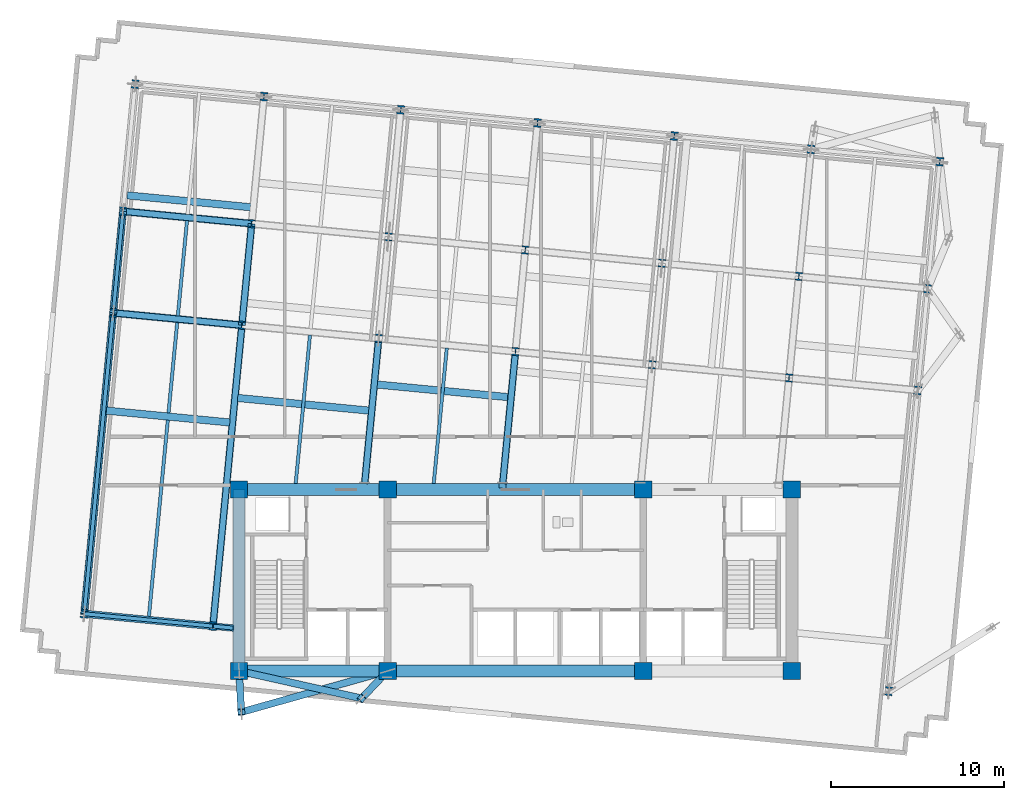
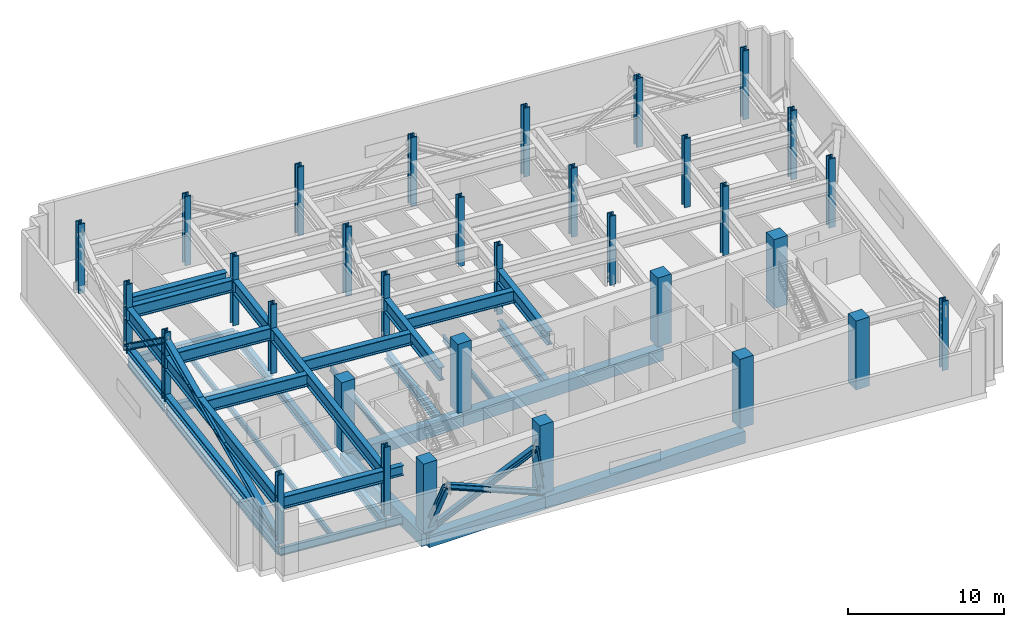
# One storey, part 1 of 10: 33 beams, 32 columns, 8 members.
"""IFC4 building model written with IfcOpenShell, lengths in metres."""

import ifcopenshell
import ifcopenshell.guid

model = None  # the IFC model being written
_history = None  # IfcOwnerHistory: only IFC2X3 demands one
_inside = {}  # id of a spatial element -> (the spatial element, [elements in it])
_under = {}  # id of a project, library or spatial element -> (it, [spatial elements below it])
_declared = {}  # id of a project -> (the project, [libraries it declares])
_typed = {}  # id of a type object -> (the type object, [elements of that type])
_made_of = {}  # id of a material, layer set ... -> (it, [elements and type objects made of it])


def new_model(schema):
    """Start an empty IFC model of exactly this schema.

    Asked for "IFC4X3", IfcOpenShell would pick the latest addendum, in which some entities
    have other attributes; the version numbers below select the first issue.
    IFC2X3 requires an IfcOwnerHistory on every rooted entity: one is made here for all.
    """
    global model, _history
    if schema == "IFC4X3":
        model = ifcopenshell.file(schema_version=(4, 3, 0, 0))
    else:
        model = ifcopenshell.file(schema=schema)
    _inside.clear()
    _under.clear()
    _declared.clear()
    _typed.clear()
    _made_of.clear()
    _history = None
    if model.schema == "IFC2X3":
        org = make("IfcOrganization", Name="unknown")
        user = make(
            "IfcPersonAndOrganization",
            ThePerson=make("IfcPerson", FamilyName="unknown"),
            TheOrganization=org,
        )
        app = make(
            "IfcApplication",
            ApplicationDeveloper=org,
            Version="unknown",
            ApplicationFullName="unknown",
            ApplicationIdentifier="unknown",
        )
        _history = make(
            "IfcOwnerHistory",
            OwningUser=user,
            OwningApplication=app,
            ChangeAction="ADDED",
            CreationDate=0,
        )
    return model


def make(cls, **values):
    """One entity of the class cls with the attributes given. An attribute that is None is left unset."""
    return model.create_entity(
        cls, **{name: value for name, value in values.items() if value is not None}
    )


def rooted(cls, **values):
    """An entity with a GlobalId (a new one), such as an element, a storey or a relation."""
    return make(cls, GlobalId=ifcopenshell.guid.new(), OwnerHistory=_history, **values)


def si_unit(unit_type, name, prefix=None):
    """IfcSIUnit, for example si_unit("LENGTHUNIT", "METRE", prefix="MILLI")."""
    return make("IfcSIUnit", UnitType=unit_type, Prefix=prefix, Name=name)


def assignment(units):
    """IfcUnitAssignment: the units of a project."""
    return None if units is None else make("IfcUnitAssignment", Units=units)


def point(xyz):
    """IfcCartesianPoint."""
    return None if xyz is None else make("IfcCartesianPoint", Coordinates=xyz)


def direction(xyz):
    """IfcDirection."""
    return None if xyz is None else make("IfcDirection", DirectionRatios=xyz)


def frame(location, z_axis=None, x_axis=None):
    """IfcAxis2Placement3D, a coordinate frame: its origin and axes. An axis left out is left unset."""
    return make(
        "IfcAxis2Placement3D",
        Location=point(location),
        Axis=direction(z_axis),
        RefDirection=direction(x_axis),
    )


def frame_2d(location, x_axis=None):
    """IfcAxis2Placement2D, a coordinate frame in the plane: its origin and x axis."""
    return make(
        "IfcAxis2Placement2D", Location=point(location), RefDirection=direction(x_axis)
    )


def origin():
    """The frame at (0, 0, 0) with its axes left unset."""
    return frame((0.0, 0.0, 0.0))


def origin_2d():
    """The frame at (0, 0) in the plane with its x axis left unset."""
    return frame_2d((0.0, 0.0))


def place(relative_to, where):
    """IfcLocalPlacement: puts the frame where relative to a parent placement (None: the world)."""
    return make(
        "IfcLocalPlacement", PlacementRelTo=relative_to, RelativePlacement=where
    )


def context(
    kind, dimensions, precision=None, world=None, true_north=None, identifier=None
):
    """IfcGeometricRepresentationContext, for example the 3D "Model" context."""
    return make(
        "IfcGeometricRepresentationContext",
        ContextIdentifier=identifier,
        ContextType=kind,
        CoordinateSpaceDimension=dimensions,
        Precision=precision,
        WorldCoordinateSystem=world,
        TrueNorth=true_north,
    )


def subcontext(parent, identifier, kind, view, scale=None):
    """IfcGeometricRepresentationSubContext, for example "Body" below "Model"."""
    return make(
        "IfcGeometricRepresentationSubContext",
        ContextIdentifier=identifier,
        ContextType=kind,
        ParentContext=parent,
        TargetScale=scale,
        TargetView=view,
    )


def project(units=None, contexts=None):
    """IfcProject with its units and contexts."""
    return rooted(
        "IfcProject",
        Name="project",
        RepresentationContexts=contexts,
        UnitsInContext=assignment(units),
    )


def spatial(cls, under=None, at=None, **own):
    """A site, building, storey or space (cls), placed at a placement, below another one or the project."""
    s = rooted(cls, ObjectPlacement=at, **own)
    if under is not None:
        _under.setdefault(under.id(), (under, []))[1].append(s)
    return s


def profile(cls, at=None, kind="AREA", **sizes):
    """A parametric profile (cls). Its sizes go by their IFC names, for example OverallWidth=200.0."""
    return make(cls, ProfileType=kind, Position=at, **sizes)


def rectangle(**sizes):
    """IfcRectangleProfileDef."""
    return profile("IfcRectangleProfileDef", **sizes)


def i_section(**sizes):
    """IfcIShapeProfileDef."""
    return profile("IfcIShapeProfileDef", **sizes)


def extrude(swept, where, along, depth):
    """IfcExtrudedAreaSolid: the profile swept, set in the frame where, extruded along a direction by depth."""
    return make(
        "IfcExtrudedAreaSolid",
        SweptArea=swept,
        Position=where,
        ExtrudedDirection=direction(along),
        Depth=depth,
    )


def shape(context_of_items, identifier, shape_type, items):
    """IfcShapeRepresentation: the items that make up one representation, for example the "Body"."""
    return make(
        "IfcShapeRepresentation",
        ContextOfItems=context_of_items,
        RepresentationIdentifier=identifier,
        RepresentationType=shape_type,
        Items=items,
    )


def material(Name=None, Category=None):
    """IfcMaterial."""
    return make("IfcMaterial", Name=Name, Category=Category)


def material_profile(
    of_material, cross_section, Name=None, Category=None, Priority=None
):
    """IfcMaterialProfile: a cross section and its material."""
    return make(
        "IfcMaterialProfile",
        Name=Name,
        Material=of_material,
        Profile=cross_section,
        Priority=Priority,
        Category=Category,
    )


def profile_set(profiles, Name=None, composite=None):
    """IfcMaterialProfileSet."""
    return make(
        "IfcMaterialProfileSet",
        Name=Name,
        MaterialProfiles=profiles,
        CompositeProfile=composite,
    )


def made_of(thing, what):
    """Note that an element or type object is made of a material, layer set ...; save() writes the relation."""
    if what is not None:
        _made_of.setdefault(what.id(), (what, []))[1].append(thing)
    return thing


def type_object(cls, material=None, **own):
    """A type object (cls), such as IfcWallType, which elements share."""
    return made_of(rooted(cls, **own), material)


def element(
    cls,
    number,
    at=None,
    inside=None,
    cuts=None,
    type_object=None,
    material=None,
    context=None,
    identifier="Body",
    shape_type=None,
    held_by="IfcProductDefinitionShape",
    body=None,
    shapes=None,
    **own,
):
    """One element of the class cls, such as IfcWall. Its Tag is "e" and its number.

    at: its placement. inside: the storey or other place that contains it. cuts: it is an
    opening in that element (IfcRelVoidsElement). A single representation is given by context,
    identifier, shape_type and body (its items); several are given by shapes. held_by: the class
    of the entity that holds the representations. save() writes the other relations.
    """
    e = rooted(cls, Tag="e%d" % number, ObjectPlacement=at, **own)
    if body is not None:
        shapes = [shape(context, identifier, shape_type, body)]
    if shapes is not None:
        e.Representation = make(held_by, Representations=shapes)
    if inside is not None:
        _inside.setdefault(inside.id(), (inside, []))[1].append(e)
    if cuts is not None:
        rooted(
            "IfcRelVoidsElement", RelatingBuildingElement=cuts, RelatedOpeningElement=e
        )
    if type_object is not None:
        _typed.setdefault(type_object.id(), (type_object, []))[1].append(e)
    return made_of(e, material)


def aggregate(whole, parts):
    """IfcRelAggregates: a whole, such as a stair, and the parts it consists of."""
    return rooted("IfcRelAggregates", RelatingObject=whole, RelatedObjects=parts)


def save(model, path):
    """Write the relations noted so far, then the file.

    IfcRelAggregates (storeys below a building ...), IfcRelContainedInSpatialStructure (elements
    in a storey), IfcRelDefinesByType, IfcRelAssociatesMaterial and IfcRelDeclares: one each for
    every whole, place, type object, material and project.
    """
    for whole, parts in _under.values():
        aggregate(whole, parts)
    for where, things in _inside.values():
        rooted(
            "IfcRelContainedInSpatialStructure",
            RelatedElements=things,
            RelatingStructure=where,
        )
    for kind, things in _typed.values():
        rooted("IfcRelDefinesByType", RelatedObjects=things, RelatingType=kind)
    for what, things in _made_of.values():
        rooted("IfcRelAssociatesMaterial", RelatedObjects=things, RelatingMaterial=what)
    for by, libraries in _declared.values():
        rooted("IfcRelDeclares", RelatingContext=by, RelatedDefinitions=libraries)
    model.write(path)


model = new_model("IFC4")

# Units and contexts
model_context = context("Model", 3, precision=1e-05, world=origin(), true_north=direction((0.0, 1.0)))
body_context = subcontext(model_context, "Body", "Model", "MODEL_VIEW")
ifc_project = project(units=[si_unit("LENGTHUNIT", "METRE"), si_unit("AREAUNIT", "SQUARE_METRE"), si_unit("VOLUMEUNIT", "CUBIC_METRE"), si_unit("PLANEANGLEUNIT", "RADIAN"), si_unit("MASSUNIT", "GRAM", prefix="KILO")], contexts=[model_context])

# Site, building, storey
site_placement = place(None, origin())
site = spatial("IfcSite", under=ifc_project, at=site_placement, CompositionType="ELEMENT")
building_placement = place(site_placement, origin())
building = spatial("IfcBuilding", under=site, at=building_placement, Name="Solmavex Isthmus Hotel", CompositionType="ELEMENT")
storey_placement = place(building_placement, frame((0.0, 0.0, 186.300048828125)))
storey = spatial("IfcBuildingStorey", under=building, at=storey_placement, Name="L50", CompositionType="ELEMENT", Elevation=186.300048828125)

# Columns
ifc_material_1 = material(Name="Concrete C60/75", Category="concrete")
ifc_material_profile_1 = material_profile(ifc_material_1, rectangle(XDim=1.0, YDim=1.0, at=origin_2d()), Name="RC1000X1000")
ifc_profile_set_1 = profile_set([ifc_material_profile_1], Name="Concrete C60/75")
column_type_1 = type_object("IfcColumnType", Name="COL-CC-1000", PredefinedType="COLUMN", material=ifc_profile_set_1)
for number, where, z_axis, x_axis, name in (
    (1, (-16.0, -13.0, 0.0), (0.0, 0.0, 1.0), (1.0, 0.0, 0.0), "Core Pilaster CC-SW L50"),
    (2, (-7.39990234375, -13.0, 0.0), (0.0, 0.0, 1.0), (1.0, 0.0, 0.0), "Core Pilaster CC-S1 L50"),
    (3, (7.39990234375, -13.0, 0.0), (0.0, 0.0, 1.0), (1.0, 0.0, 0.0), "Core Pilaster CC-S2 L50"),
    (4, (16.0, -13.0, 0.0), (0.0, 0.0, 1.0), (1.0, 0.0, 0.0), "Core Pilaster CC-SE L50"),
    (5, (-16.0, -2.5, 0.0), (0.0, 0.0, 1.0), (1.0, 0.0, 0.0), "Core Pilaster CC-NW L50"),
    (6, (-7.39990234375, -2.5, 0.0), (0.0, 0.0, 1.0), (1.0, 0.0, 0.0), "Core Pilaster CC-N1 L50"),
    (7, (7.39990234375, -2.5, 0.0), (0.0, 0.0, 1.0), (1.0, 0.0, 0.0), "Core Pilaster CC-N2 L50"),
    (8, (16.0, -2.5, 0.0), (0.0, 0.0, 1.0), (1.0, 0.0, 0.0), "Core Pilaster CC-NE L50"),
):
    element("IfcColumn", number, at=place(storey_placement, frame(where, z_axis=z_axis, x_axis=x_axis)), inside=storey, type_object=column_type_1, Name=name, PredefinedType="COLUMN", context=body_context, shape_type="SweptSolid", body=[
        extrude(rectangle(XDim=1.0, YDim=1.0, at=origin_2d()), origin(), (0.0, 0.0, 1.0), 5.39990234375),
    ])
ifc_material_2 = material(Name="Steel ASTM A913 Grade 65", Category="steel")
ifc_material_profile_2 = material_profile(ifc_material_2, i_section(OverallWidth=0.424072265625, OverallDepth=0.47412109375, WebThickness=0.047607421875, FlangeThickness=0.0771484375, FilletRadius=0.030517578125, at=origin_2d()), Name="W14X426")
ifc_profile_set_2 = profile_set([ifc_material_profile_2], Name="Steel ASTM A913 Grade 65")
column_type_2 = type_object("IfcColumnType", Name="COL-SC-W14X426", PredefinedType="COLUMN", material=ifc_profile_set_2)
for number, where, z_axis, x_axis, name in (
    (9, (-15.83740234375, 7.015380859375, 0.0), (0.0, 0.0, 1.0), (0.995396198367, -0.09584575252, 0.0), "Tower Column B3-U2V2 L50"),
    (10, (-15.271240234375, 12.896240234375, 0.0), (0.0, 0.0, 1.0), (0.995396198367, -0.09584575252, 0.0), "Tower Column B3-U2V3 L50"),
    (11, (-7.918212890625, 6.2529296875, 0.0), (0.0, 0.0, 1.0), (0.995396198367, -0.09584575252, 0.0), "Tower Column B3-U3V2 L50"),
    (12, (-7.351806640625, 12.1337890625, 0.0), (0.0, 0.0, 1.0), (0.995396198367, -0.09584575252, 0.0), "Tower Column B3-U3V3 L50"),
    (13, (0.001220703125, 5.490234375, 0.0), (0.0, 0.0, 1.0), (0.995396198367, -0.09584575252, 0.0), "Tower Column B3-U4V2 L50"),
    (14, (0.567626953125, 11.37109375, 0.0), (0.0, 0.0, 1.0), (0.995396198367, -0.09584575252, 0.0), "Tower Column B3-U4V3 L50"),
    (15, (7.920654296875, 4.727783203125, 0.0), (0.0, 0.0, 1.0), (0.995396198367, -0.09584575252, 0.0), "Tower Column B3-U5V2 L50"),
    (16, (8.48681640625, 10.608642578125, 0.0), (0.0, 0.0, 1.0), (0.995396198367, -0.09584575252, 0.0), "Tower Column B3-U5V3 L50"),
    (17, (15.840087890625, 3.96533203125, 0.0), (0.0, 0.0, 1.0), (0.995396198367, -0.09584575252, 0.0), "Tower Column B3-U6V2 L50"),
    (18, (16.40625, 9.845947265625, 0.0), (0.0, 0.0, 1.0), (0.995396198367, -0.09584575252, 0.0), "Tower Column B3-U6V3 L50"),
):
    element("IfcColumn", number, at=place(storey_placement, frame(where, z_axis=z_axis, x_axis=x_axis)), inside=storey, type_object=column_type_2, Name=name, PredefinedType="COLUMN", context=body_context, shape_type="SweptSolid", body=[
        extrude(i_section(OverallWidth=0.424072265625, OverallDepth=0.47412109375, WebThickness=0.047607421875, FlangeThickness=0.0771484375, FilletRadius=0.030517578125, at=origin_2d()), origin(), (0.0, 0.0, 1.0), 5.39990234375),
    ])
ifc_material_profile_3 = material_profile(ifc_material_2, i_section(OverallWidth=0.43212890625, OverallDepth=0.497802734375, WebThickness=0.0556640625, FlangeThickness=0.0888671875, FilletRadius=0.030517578125, at=origin_2d()), Name="W14X500")
ifc_profile_set_3 = profile_set([ifc_material_profile_3], Name="Steel ASTM A913 Grade 65")
column_type_3 = type_object("IfcColumnType", Name="COL-SC-W14X500", PredefinedType="COLUMN", material=ifc_profile_set_3)
for number, where, z_axis, x_axis, name in (
    (19, (-24.96826171875, -9.686279296875, 0.0), (0.0, 0.0, 1.0), (0.995396198367, -0.09584575252, 0.0), "Tower Column B3-U1V1 L50"),
    (20, (-23.291015625, 7.733154296875, 0.0), (0.0, 0.0, 1.0), (0.995396198367, -0.09584575252, 0.0), "Tower Column B3-U1V2 L50"),
    (21, (-22.724853515625, 13.614013671875, 0.0), (0.0, 0.0, 1.0), (0.995396198367, -0.09584575252, 0.0), "Tower Column B3-U1V3 L50"),
    (22, (-22.016357421875, 20.971923828125, 0.0), (0.0, 0.0, 1.0), (0.995396198367, -0.09584575252, 0.0), "Tower Column B3-U1V4 L50"),
    (23, (-17.5146484375, -10.404052734375, 0.0), (0.0, 0.0, 1.0), (0.995396198367, -0.09584575252, 0.0), "Tower Column B3-U2V1 L50"),
    (24, (-14.562744140625, 20.254150390625, 0.0), (0.0, 0.0, 1.0), (0.995396198367, -0.09584575252, 0.0), "Tower Column B3-U2V4 L50"),
    (25, (-6.643310546875, 19.49169921875, 0.0), (0.0, 0.0, 1.0), (0.995396198367, -0.09584575252, 0.0), "Tower Column B3-U3V4 L50"),
    (26, (1.276123046875, 18.72900390625, 0.0), (0.0, 0.0, 1.0), (0.995396198367, -0.09584575252, 0.0), "Tower Column B3-U4V4 L50"),
    (27, (9.1953125, 17.966552734375, 0.0), (0.0, 0.0, 1.0), (0.995396198367, -0.09584575252, 0.0), "Tower Column B3-U5V4 L50"),
    (28, (17.11474609375, 17.2041015625, 0.0), (0.0, 0.0, 1.0), (0.995396198367, -0.09584575252, 0.0), "Tower Column B3-U6V4 L50"),
    (29, (21.6162109375, -14.171875, 0.0), (0.0, 0.0, 1.0), (0.995396198367, -0.09584575252, 0.0), "Tower Column B3-U7V1 L50"),
    (30, (23.29345703125, 3.24755859375, 0.0), (0.0, 0.0, 1.0), (0.995396198367, -0.09584575252, 0.0), "Tower Column B3-U7V2 L50"),
    (31, (23.85986328125, 9.12841796875, 0.0), (0.0, 0.0, 1.0), (0.995396198367, -0.09584575252, 0.0), "Tower Column B3-U7V3 L50"),
    (32, (24.568359375, 16.486328125, 0.0), (0.0, 0.0, 1.0), (0.995396198367, -0.09584575252, 0.0), "Tower Column B3-U7V4 L50"),
):
    element("IfcColumn", number, at=place(storey_placement, frame(where, z_axis=z_axis, x_axis=x_axis)), inside=storey, type_object=column_type_3, Name=name, PredefinedType="COLUMN", context=body_context, shape_type="SweptSolid", body=[
        extrude(i_section(OverallWidth=0.43212890625, OverallDepth=0.497802734375, WebThickness=0.0556640625, FlangeThickness=0.0888671875, FilletRadius=0.030517578125, at=origin_2d()), origin(), (0.0, 0.0, 1.0), 5.39990234375),
    ])

# Beams
ifc_material_3 = material(Name="Steel ASTM A992 Grade 50", Category="steel")
ifc_material_profile_4 = material_profile(ifc_material_3, i_section(OverallWidth=0.354736328125, OverallDepth=0.695556640625, WebThickness=0.015380859375, FlangeThickness=0.02490234375, FilletRadius=0.017822265625, at=origin_2d()), Name="W27X146")
ifc_profile_set_4 = profile_set([ifc_material_profile_4], Name="Steel ASTM A992 Grade 50")
beam_type_1 = type_object("IfcBeamType", Name="BM-BG-W27X146", PredefinedType="BEAM", material=ifc_profile_set_4)
for number, where, z_axis, x_axis, name in (
    (33, (-23.291015625, 7.733154296875, -0.7978515625), (0.995395279593, -0.095855293875, 0.0), (0.095855293875, 0.995395279593, 0.0), "Floor Girder L50-UG03"),
    (34, (-22.724853515625, 13.614013671875, -0.7978515625), (0.995395279593, -0.095855293875, 0.0), (0.095855293875, 0.995395279593, 0.0), "Floor Girder L50-UG09"),
):
    element("IfcBeam", number, at=place(storey_placement, frame(where, z_axis=z_axis, x_axis=x_axis)), inside=storey, type_object=beam_type_1, Name=name, PredefinedType="BEAM", context=body_context, shape_type="SweptSolid", body=[
        extrude(i_section(OverallWidth=0.354736328125, OverallDepth=0.695556640625, WebThickness=0.015380859375, FlangeThickness=0.02490234375, FilletRadius=0.017822265625, at=origin_2d()), origin(), (0.0, 0.0, 1.0), 7.488037109375),
    ])
beam_1_placement = place(storey_placement, frame((-17.503662109375, -10.289306640625, -0.7978515625), z_axis=(0.095840821687, 0.99539667314, 0.0), x_axis=(-0.99539667314, 0.095840821687, 0.0)))
element("IfcBeam", 35, at=beam_1_placement, inside=storey, type_object=beam_type_1, Name="Floor Beam L50-VG24", PredefinedType="BEAM", context=body_context, shape_type="SweptSolid", body=[
    extrude(i_section(OverallWidth=0.354736328125, OverallDepth=0.695556640625, WebThickness=0.015380859375, FlangeThickness=0.02490234375, FilletRadius=0.017822265625, at=origin_2d()), origin(), (0.0, 0.0, 1.0), 17.207275390625),
])
beam_2_placement = place(storey_placement, frame((-15.820556640625, 7.19189453125, -0.7978515625), z_axis=(0.095838058801, 0.995396939158, 0.0), x_axis=(-0.995396939158, 0.095838058801, 0.0)))
element("IfcBeam", 36, at=beam_2_placement, inside=storey, type_object=beam_type_1, Name="Floor Beam L50-VG25", PredefinedType="BEAM", context=body_context, shape_type="SweptSolid", body=[
    extrude(i_section(OverallWidth=0.354736328125, OverallDepth=0.695556640625, WebThickness=0.015380859375, FlangeThickness=0.02490234375, FilletRadius=0.017822265625, at=origin_2d()), origin(), (0.0, 0.0, 1.0), 5.553466796875),
])
beam_3_placement = place(storey_placement, frame((-8.727294921875, -2.14990234375, -0.7978515625), z_axis=(0.095861573524, 0.995394674851, 0.0), x_axis=(-0.995394674851, 0.095861573524, 0.0)))
element("IfcBeam", 37, at=beam_3_placement, inside=storey, type_object=beam_type_1, Name="Floor Beam L50-VG27", PredefinedType="BEAM", context=body_context, shape_type="SweptSolid", body=[
    extrude(i_section(OverallWidth=0.354736328125, OverallDepth=0.695556640625, WebThickness=0.015380859375, FlangeThickness=0.02490234375, FilletRadius=0.017822265625, at=origin_2d()), origin(), (0.0, 0.0, 1.0), 8.264404296875),
])
beam_4_placement = place(storey_placement, frame((-0.734375, -2.14990234375, -0.7978515625), z_axis=(0.095856963455, 0.995395118813, 0.0), x_axis=(-0.995395118813, 0.095856963455, 0.0)))
element("IfcBeam", 38, at=beam_4_placement, inside=storey, type_object=beam_type_1, Name="Floor Beam L50-VG30", PredefinedType="BEAM", context=body_context, shape_type="SweptSolid", body=[
    extrude(i_section(OverallWidth=0.354736328125, OverallDepth=0.695556640625, WebThickness=0.015380859375, FlangeThickness=0.02490234375, FilletRadius=0.017822265625, at=origin_2d()), origin(), (0.0, 0.0, 1.0), 7.498046875),
])
ifc_material_profile_5 = material_profile(ifc_material_3, i_section(OverallWidth=0.380615234375, OverallDepth=0.773193359375, WebThickness=0.0166015625, FlangeThickness=0.027099609375, FilletRadius=0.01904296875, at=origin_2d()), Name="W30X173")
ifc_profile_set_5 = profile_set([ifc_material_profile_5], Name="Steel ASTM A992 Grade 50")
beam_type_2 = type_object("IfcBeamType", Name="BM-BG-W30X173", PredefinedType="BEAM", material=ifc_profile_set_5)
beam_5_placement = place(storey_placement, frame((-17.360595703125, -10.4189453125, 3.183349609375), z_axis=(0.995402309341, -0.095782266414, 0.0), x_axis=(0.095782266414, 0.995402309341, 0.0)))
element("IfcBeam", 39, at=beam_5_placement, inside=storey, type_object=beam_type_2, Name="Floor Framing Cross Girder L50-XLC23", PredefinedType="BEAM", context=body_context, shape_type="SweptSolid", body=[
    extrude(i_section(OverallWidth=0.380615234375, OverallDepth=0.773193359375, WebThickness=0.0166015625, FlangeThickness=0.027099609375, FilletRadius=0.01904296875, at=origin_2d()), origin(), (0.0, 0.0, 1.0), 1.0654296875),
])
ifc_material_profile_6 = material_profile(ifc_material_3, i_section(OverallWidth=0.1904296875, OverallDepth=0.456787109375, WebThickness=0.009033203125, FlangeThickness=0.014404296875, FilletRadius=0.0126953125, at=origin_2d()), Name="W18X50")
ifc_profile_set_6 = profile_set([ifc_material_profile_6], Name="Steel ASTM A992 Grade 50")
beam_type_3 = type_object("IfcBeamType", Name="BM-BJ-W18X50", PredefinedType="JOIST", material=ifc_profile_set_6)
beam_6_placement = place(storey_placement, frame((-21.23046875, -9.930419921875, -0.678466796875), z_axis=(0.095840821687, 0.99539667314, 0.0), x_axis=(-0.99539667314, 0.095840821687, 0.0)))
element("IfcBeam", 40, at=beam_6_placement, inside=storey, type_object=beam_type_3, Name="Secondary Floor Joist L50-J01", PredefinedType="JOIST", context=body_context, shape_type="SweptSolid", body=[
    extrude(i_section(OverallWidth=0.1904296875, OverallDepth=0.456787109375, WebThickness=0.009033203125, FlangeThickness=0.014404296875, FilletRadius=0.0126953125, at=origin_2d()), origin(), (0.0, 0.0, 1.0), 17.207275390625),
])
beam_7_placement = place(storey_placement, frame((-19.547119140625, 7.55078125, -0.678466796875), z_axis=(0.095842252862, 0.99539653534, 0.0), x_axis=(-0.99539653534, 0.095842252862, 0.0)))
element("IfcBeam", 41, at=beam_7_placement, inside=storey, type_object=beam_type_3, Name="Secondary Floor Joist L50-J02", PredefinedType="JOIST", context=body_context, shape_type="SweptSolid", body=[
    extrude(i_section(OverallWidth=0.1904296875, OverallDepth=0.456787109375, WebThickness=0.009033203125, FlangeThickness=0.014404296875, FilletRadius=0.0126953125, at=origin_2d()), origin(), (0.0, 0.0, 1.0), 5.55322265625),
])
beam_8_placement = place(storey_placement, frame((-12.7236328125, -2.14990234375, -0.678466796875), z_axis=(0.095852279322, 0.995395569886, 0.0), x_axis=(-0.995395569886, 0.095852279322, 0.0)))
element("IfcBeam", 42, at=beam_8_placement, inside=storey, type_object=beam_type_3, Name="Secondary Floor Joist L50-J04", PredefinedType="JOIST", context=body_context, shape_type="SweptSolid", body=[
    extrude(i_section(OverallWidth=0.1904296875, OverallDepth=0.456787109375, WebThickness=0.009033203125, FlangeThickness=0.014404296875, FilletRadius=0.0126953125, at=origin_2d()), origin(), (0.0, 0.0, 1.0), 8.647216796875),
])
beam_9_placement = place(storey_placement, frame((-4.730712890625, -2.14990234375, -0.678466796875), z_axis=(0.09584403416, 0.995396363825, 0.0), x_axis=(-0.995396363825, 0.09584403416, 0.0)))
element("IfcBeam", 43, at=beam_9_placement, inside=storey, type_object=beam_type_3, Name="Secondary Floor Joist L50-J07", PredefinedType="JOIST", context=body_context, shape_type="SweptSolid", body=[
    extrude(i_section(OverallWidth=0.1904296875, OverallDepth=0.456787109375, WebThickness=0.009033203125, FlangeThickness=0.014404296875, FilletRadius=0.0126953125, at=origin_2d()), origin(), (0.0, 0.0, 1.0), 7.88134765625),
])
ifc_material_profile_7 = material_profile(ifc_material_1, rectangle(XDim=0.699951171875, YDim=0.949951171875, at=origin_2d()), Name="RC700X950")
ifc_profile_set_7 = profile_set([ifc_material_profile_7], Name="Concrete C60/75")
beam_type_4 = type_object("IfcBeamType", Name="BM-CB-700X950", PredefinedType="BEAM", material=ifc_profile_set_7)
beam_10_placement = place(storey_placement, frame((-16.0, -13.0, -0.925048828125), z_axis=(1.0, 0.0, 0.0), x_axis=(0.0, 1.0, 0.0)))
element("IfcBeam", 44, at=beam_10_placement, inside=storey, type_object=beam_type_4, Name="Core Coupling Beam L50-CB1", PredefinedType="BEAM", context=body_context, shape_type="SweptSolid", body=[
    extrude(rectangle(XDim=0.699951171875, YDim=0.949951171875, at=origin_2d()), origin(), (0.0, 0.0, 1.0), 8.60009765625),
])
beam_11_placement = place(storey_placement, frame((-7.39990234375, -13.0, -0.925048828125), z_axis=(1.0, 0.0, 0.0), x_axis=(0.0, 1.0, 0.0)))
element("IfcBeam", 45, at=beam_11_placement, inside=storey, type_object=beam_type_4, Name="Core Coupling Beam L50-CB2", PredefinedType="BEAM", context=body_context, shape_type="SweptSolid", body=[
    extrude(rectangle(XDim=0.699951171875, YDim=0.949951171875, at=origin_2d()), origin(), (0.0, 0.0, 1.0), 14.7998046875),
])
beam_12_placement = place(storey_placement, frame((-16.0, -2.5, -0.81494140625), z_axis=(1.0, 0.0, 0.0), x_axis=(0.0, 1.0, 0.0)))
element("IfcBeam", 46, at=beam_12_placement, inside=storey, type_object=beam_type_4, Name="Core Coupling Beam L50-CB4", PredefinedType="BEAM", context=body_context, shape_type="SweptSolid", body=[
    extrude(rectangle(XDim=0.699951171875, YDim=0.949951171875, at=origin_2d()), origin(), (0.0, 0.0, 1.0), 8.60009765625),
])
beam_13_placement = place(storey_placement, frame((-7.39990234375, -2.5, -0.81494140625), z_axis=(1.0, 0.0, 0.0), x_axis=(0.0, 1.0, 0.0)))
element("IfcBeam", 47, at=beam_13_placement, inside=storey, type_object=beam_type_4, Name="Core Coupling Beam L50-CB5", PredefinedType="BEAM", context=body_context, shape_type="SweptSolid", body=[
    extrude(rectangle(XDim=0.699951171875, YDim=0.949951171875, at=origin_2d()), origin(), (0.0, 0.0, 1.0), 14.7998046875),
])
beam_14_placement = place(storey_placement, frame((-16.0, -13.0, -0.925048828125), z_axis=(0.0, 1.0, 0.0), x_axis=(-1.0, 0.0, 0.0)))
element("IfcBeam", 48, at=beam_14_placement, inside=storey, type_object=beam_type_4, Name="Core Coupling Beam L50-CB7", PredefinedType="BEAM", context=body_context, shape_type="SweptSolid", body=[
    extrude(rectangle(XDim=0.699951171875, YDim=0.949951171875, at=origin_2d()), origin(), (0.0, 0.0, 1.0), 10.5),
])
ifc_material_profile_8 = material_profile(ifc_material_3, i_section(OverallWidth=0.230224609375, OverallDepth=0.617431640625, WebThickness=0.01318359375, FlangeThickness=0.022216796875, FilletRadius=0.01513671875, at=origin_2d()), Name="W24X94")
ifc_profile_set_8 = profile_set([ifc_material_profile_8], Name="Steel ASTM A992 Grade 50")
beam_type_5 = type_object("IfcBeamType", Name="BM-SP-W24X94", PredefinedType="SPANDREL", material=ifc_profile_set_8)
beam_15_placement = place(storey_placement, frame((-24.96826171875, -9.686279296875, -0.7587890625), z_axis=(0.995395279593, -0.095855293875, 0.0), x_axis=(0.095855293875, 0.995395279593, 0.0)))
element("IfcBeam", 49, at=beam_15_placement, inside=storey, type_object=beam_type_5, Name="Floor Girder L50-UG01", PredefinedType="SPANDREL", context=body_context, shape_type="SweptSolid", body=[
    extrude(i_section(OverallWidth=0.230224609375, OverallDepth=0.617431640625, WebThickness=0.01318359375, FlangeThickness=0.022216796875, FilletRadius=0.01513671875, at=origin_2d()), origin(), (0.0, 0.0, 1.0), 7.488037109375),
])
beam_16_placement = place(storey_placement, frame((-17.5146484375, -10.404052734375, -0.7587890625), z_axis=(0.995402144456, -0.095783979938, 0.0), x_axis=(0.095783979938, 0.995402144456, 0.0)))
element("IfcBeam", 50, at=beam_16_placement, inside=storey, type_object=beam_type_5, Name="Floor Girder L50-UG02", PredefinedType="SPANDREL", context=body_context, shape_type="SweptSolid", body=[
    extrude(i_section(OverallWidth=0.230224609375, OverallDepth=0.617431640625, WebThickness=0.01318359375, FlangeThickness=0.022216796875, FilletRadius=0.01513671875, at=origin_2d()), origin(), (0.0, 0.0, 1.0), 1.169921875),
])
beam_17_placement = place(storey_placement, frame((-24.957275390625, -9.571533203125, -0.7587890625), z_axis=(0.095840821687, 0.99539667314, 0.0), x_axis=(-0.99539667314, 0.095840821687, 0.0)))
element("IfcBeam", 51, at=beam_17_placement, inside=storey, type_object=beam_type_5, Name="Floor Beam L50-VG21", PredefinedType="SPANDREL", context=body_context, shape_type="SweptSolid", body=[
    extrude(i_section(OverallWidth=0.230224609375, OverallDepth=0.617431640625, WebThickness=0.01318359375, FlangeThickness=0.022216796875, FilletRadius=0.01513671875, at=origin_2d()), origin(), (0.0, 0.0, 1.0), 17.207275390625),
])
beam_18_placement = place(storey_placement, frame((-23.27392578125, 7.90966796875, -0.7587890625), z_axis=(0.095842252862, 0.99539653534, 0.0), x_axis=(-0.99539653534, 0.095842252862, 0.0)))
element("IfcBeam", 52, at=beam_18_placement, inside=storey, type_object=beam_type_5, Name="Floor Beam L50-VG22", PredefinedType="SPANDREL", context=body_context, shape_type="SweptSolid", body=[
    extrude(i_section(OverallWidth=0.230224609375, OverallDepth=0.617431640625, WebThickness=0.01318359375, FlangeThickness=0.022216796875, FilletRadius=0.01513671875, at=origin_2d()), origin(), (0.0, 0.0, 1.0), 5.55322265625),
])
ifc_material_profile_9 = material_profile(ifc_material_2, i_section(OverallWidth=0.423095703125, OverallDepth=0.93896484375, WebThickness=0.02392578125, FlangeThickness=0.042724609375, FilletRadius=0.024169921875, at=origin_2d()), Name="W36X302")
ifc_profile_set_9 = profile_set([ifc_material_profile_9], Name="Steel ASTM A913 Grade 65")
beam_type_6 = type_object("IfcBeamType", Name="BM-TB-W36X302", PredefinedType="BEAM", material=ifc_profile_set_9)
for number, where, z_axis, x_axis, name in (
    (53, (-24.81396484375, -9.701171875, 3.100341796875), (0.995396183066, -0.095845911429, 0.0), (0.095845911429, 0.995396183066, 0.0), "Horizontal Outrigger Collector Girder L50-XLC22"),
    (54, (-23.13671875, 7.71826171875, 3.100341796875), (0.995396183066, -0.095845911429, 0.0), (0.095845911429, 0.995396183066, 0.0), "Horizontal Outrigger Collector Girder L50-XLC24"),
    (55, (-22.570556640625, 13.59912109375, 3.100341796875), (0.995396183066, -0.095845911429, 0.0), (0.095845911429, 0.995396183066, 0.0), "Horizontal Outrigger Collector Girder L50-XLC30"),
    (56, (-23.68017578125, 2.07373046875, 3.100341796875), (0.995396183066, -0.095845911429, 0.0), (0.095845911429, 0.995396183066, 0.0), "Horizontal Outrigger Collector Girder L50-XLC42"),
    (57, (-22.480224609375, 14.536376953125, 3.100341796875), (0.995396183066, -0.095845911429, 0.0), (0.095845911429, 0.995396183066, 0.0), "Horizontal Outrigger Collector Girder L50-XLC43"),
):
    element("IfcBeam", number, at=place(storey_placement, frame(where, z_axis=z_axis, x_axis=x_axis)), inside=storey, type_object=beam_type_6, Name=name, PredefinedType="BEAM", context=body_context, shape_type="SweptSolid", body=[
        extrude(i_section(OverallWidth=0.423095703125, OverallDepth=0.93896484375, WebThickness=0.02392578125, FlangeThickness=0.042724609375, FilletRadius=0.024169921875, at=origin_2d()), origin(), (0.0, 0.0, 1.0), 7.177978515625),
    ])
beam_19_placement = place(storey_placement, frame((-16.0869140625, 2.806396484375, 3.100341796875), z_axis=(0.995398082372, -0.095826184365, 0.0), x_axis=(0.095826184365, 0.995398082372, 0.0)))
element("IfcBeam", 58, at=beam_19_placement, inside=storey, type_object=beam_type_6, Name="Horizontal Outrigger Collector Girder L50-XLC44", PredefinedType="BEAM", context=body_context, shape_type="SweptSolid", body=[
    extrude(i_section(OverallWidth=0.423095703125, OverallDepth=0.93896484375, WebThickness=0.02392578125, FlangeThickness=0.042724609375, FilletRadius=0.024169921875, at=origin_2d()), origin(), (0.0, 0.0, 1.0), 7.645751953125),
])
beam_20_placement = place(storey_placement, frame((-8.019287109375, 3.5849609375, 3.100341796875), z_axis=(0.995395329488, -0.095854775747, 0.0), x_axis=(0.095854775747, 0.995395329488, 0.0)))
element("IfcBeam", 59, at=beam_20_placement, inside=storey, type_object=beam_type_6, Name="Horizontal Outrigger Collector Girder L50-XLC47", PredefinedType="BEAM", context=body_context, shape_type="SweptSolid", body=[
    extrude(i_section(OverallWidth=0.423095703125, OverallDepth=0.93896484375, WebThickness=0.02392578125, FlangeThickness=0.042724609375, FilletRadius=0.024169921875, at=origin_2d()), origin(), (0.0, 0.0, 1.0), 7.64599609375),
])
ifc_material_profile_10 = material_profile(ifc_material_2, i_section(OverallWidth=0.409423828125, OverallDepth=1.036376953125, WebThickness=0.031005859375, FlangeThickness=0.055908203125, FilletRadius=0.030517578125, at=origin_2d()), Name="W40X397")
ifc_profile_set_10 = profile_set([ifc_material_profile_10], Name="Steel ASTM A913 Grade 65")
beam_type_7 = type_object("IfcBeamType", Name="BM-TB-W40X397B", PredefinedType="BEAM", material=ifc_profile_set_10)
beam_21_placement = place(storey_placement, frame((-24.96826171875, -9.686279296875, 3.0517578125), z_axis=(0.095842661909, 0.995396495954, 0.0), x_axis=(-0.995396495954, 0.095842661909, 0.0)))
element("IfcBeam", 60, at=beam_21_placement, inside=storey, type_object=beam_type_7, Name="Horizontal Transfer Carrier Girder L50-XLC01", PredefinedType="BEAM", context=body_context, shape_type="SweptSolid", body=[
    extrude(i_section(OverallWidth=0.409423828125, OverallDepth=1.036376953125, WebThickness=0.031005859375, FlangeThickness=0.055908203125, FilletRadius=0.030517578125, at=origin_2d()), origin(), (0.0, 0.0, 1.0), 17.5),
])
beam_22_placement = place(storey_placement, frame((-23.291015625, 7.733154296875, 3.0517578125), z_axis=(0.095828941279, 0.995397816962, 0.0), x_axis=(-0.995397816962, 0.095828941279, 0.0)))
element("IfcBeam", 61, at=beam_22_placement, inside=storey, type_object=beam_type_7, Name="Horizontal Transfer Carrier Girder L50-XLC02", PredefinedType="BEAM", context=body_context, shape_type="SweptSolid", body=[
    extrude(i_section(OverallWidth=0.409423828125, OverallDepth=1.036376953125, WebThickness=0.031005859375, FlangeThickness=0.055908203125, FilletRadius=0.030517578125, at=origin_2d()), origin(), (0.0, 0.0, 1.0), 5.907958984375),
])
beam_23_placement = place(storey_placement, frame((-17.5146484375, -10.404052734375, 3.0517578125), z_axis=(0.095842661909, 0.995396495954, 0.0), x_axis=(-0.995396495954, 0.095842661909, 0.0)))
element("IfcBeam", 62, at=beam_23_placement, inside=storey, type_object=beam_type_7, Name="Horizontal Transfer Carrier Girder L50-XLC04", PredefinedType="BEAM", context=body_context, shape_type="SweptSolid", body=[
    extrude(i_section(OverallWidth=0.409423828125, OverallDepth=1.036376953125, WebThickness=0.031005859375, FlangeThickness=0.055908203125, FilletRadius=0.030517578125, at=origin_2d()), origin(), (0.0, 0.0, 1.0), 17.5),
])
beam_24_placement = place(storey_placement, frame((-15.83740234375, 7.015380859375, 3.0517578125), z_axis=(0.095828941279, 0.995397816962, 0.0), x_axis=(-0.995397816962, 0.095828941279, 0.0)))
element("IfcBeam", 63, at=beam_24_placement, inside=storey, type_object=beam_type_7, Name="Horizontal Transfer Carrier Girder L50-XLC05", PredefinedType="BEAM", context=body_context, shape_type="SweptSolid", body=[
    extrude(i_section(OverallWidth=0.409423828125, OverallDepth=1.036376953125, WebThickness=0.031005859375, FlangeThickness=0.055908203125, FilletRadius=0.030517578125, at=origin_2d()), origin(), (0.0, 0.0, 1.0), 5.907958984375),
])
beam_25_placement = place(storey_placement, frame((-8.753173828125, -2.419921875, 3.0517578125), z_axis=(0.095829867946, 0.99539772775, 0.0), x_axis=(-0.99539772775, 0.095829867946, 0.0)))
element("IfcBeam", 64, at=beam_25_placement, inside=storey, type_object=beam_type_7, Name="Horizontal Transfer Carrier Girder L50-XLC07", PredefinedType="BEAM", context=body_context, shape_type="SweptSolid", body=[
    extrude(i_section(OverallWidth=0.409423828125, OverallDepth=1.036376953125, WebThickness=0.031005859375, FlangeThickness=0.055908203125, FilletRadius=0.030517578125, at=origin_2d()), origin(), (0.0, 0.0, 1.0), 8.712890625),
])
beam_26_placement = place(storey_placement, frame((-0.760498046875, -2.419921875, 3.0517578125), z_axis=(0.095852900965, 0.995395510024, 0.0), x_axis=(-0.995395510024, 0.095852900965, 0.0)))
element("IfcBeam", 65, at=beam_26_placement, inside=storey, type_object=beam_type_7, Name="Horizontal Transfer Carrier Girder L50-XLC10", PredefinedType="BEAM", context=body_context, shape_type="SweptSolid", body=[
    extrude(i_section(OverallWidth=0.409423828125, OverallDepth=1.036376953125, WebThickness=0.031005859375, FlangeThickness=0.055908203125, FilletRadius=0.030517578125, at=origin_2d()), origin(), (0.0, 0.0, 1.0), 7.94677734375),
])

# Members
ifc_material_profile_11 = material_profile(ifc_material_2, i_section(OverallWidth=0.412109375, OverallDepth=0.434814453125, WebThickness=0.035888671875, FlangeThickness=0.057373046875, FilletRadius=0.030517578125, at=origin_2d()), Name="W14X311")
ifc_profile_set_11 = profile_set([ifc_material_profile_11], Name="Steel ASTM A913 Grade 65")
member_type_1 = type_object("IfcMemberType", Name="MEM-TC-W14X311", PredefinedType="CHORD", material=ifc_profile_set_11)
member_1_placement = place(storey_placement, frame((-24.96826171875, -9.686279296875, 0.349853515625), z_axis=(0.095842661909, 0.995396495954, 0.0), x_axis=(-0.995396495954, 0.095842661909, 0.0)))
element("IfcMember", 66, at=member_1_placement, inside=storey, type_object=member_type_1, Name="Outrigger and Belt Transfer Truss Bottom Chord BT-L50-W-07", PredefinedType="CHORD", context=body_context, shape_type="SweptSolid", body=[
    extrude(i_section(OverallWidth=0.412109375, OverallDepth=0.434814453125, WebThickness=0.035888671875, FlangeThickness=0.057373046875, FilletRadius=0.030517578125, at=origin_2d()), origin(), (0.0, 0.0, 1.0), 17.5),
])
member_2_placement = place(storey_placement, frame((-23.291015625, 7.733154296875, 0.349853515625), z_axis=(0.095828941279, 0.995397816962, 0.0), x_axis=(-0.995397816962, 0.095828941279, 0.0)))
element("IfcMember", 67, at=member_2_placement, inside=storey, type_object=member_type_1, Name="Outrigger and Belt Transfer Truss Bottom Chord BT-L50-W-08", PredefinedType="CHORD", context=body_context, shape_type="SweptSolid", body=[
    extrude(i_section(OverallWidth=0.412109375, OverallDepth=0.434814453125, WebThickness=0.035888671875, FlangeThickness=0.057373046875, FilletRadius=0.030517578125, at=origin_2d()), origin(), (0.0, 0.0, 1.0), 5.907958984375),
])
ifc_material_profile_12 = material_profile(ifc_material_2, i_section(OverallWidth=0.40625, OverallDepth=0.416015625, WebThickness=0.02978515625, FlangeThickness=0.048095703125, FilletRadius=0.030517578125, at=origin_2d()), Name="W14X257")
ifc_profile_set_12 = profile_set([ifc_material_profile_12], Name="Steel ASTM A913 Grade 65")
member_type_2 = type_object("IfcMemberType", Name="MEM-TM-W14X257", PredefinedType="BRACE", material=ifc_profile_set_12)
member_3_placement = place(storey_placement, frame((-16.0, -13.0, -0.25), z_axis=(0.023382600098, -0.43728149838, 0.899020658932), x_axis=(0.998573396515, 0.05339636478, 0.0)))
element("IfcMember", 68, at=member_3_placement, inside=storey, type_object=member_type_2, Name="Perimeter Facade Transfer Bracket L50-FBR01", PredefinedType="BRACE", context=body_context, shape_type="SweptSolid", body=[
    extrude(i_section(OverallWidth=0.40625, OverallDepth=0.416015625, WebThickness=0.02978515625, FlangeThickness=0.048095703125, FilletRadius=0.030517578125, at=origin_2d()), origin(), (0.0, 0.0, 1.0), 5.4501953125),
])
member_4_placement = place(storey_placement, frame((-7.39990234375, -13.0, -0.25), z_axis=(-0.841085039014, -0.236591521175, 0.486415880965), x_axis=(0.270784134599, -0.962640094973, 0.0)))
element("IfcMember", 69, at=member_4_placement, inside=storey, type_object=member_type_2, Name="Perimeter Facade Transfer Bracket L50-FBR02", PredefinedType="BRACE", context=body_context, shape_type="SweptSolid", body=[
    extrude(i_section(OverallWidth=0.40625, OverallDepth=0.416015625, WebThickness=0.02978515625, FlangeThickness=0.048095703125, FilletRadius=0.030517578125, at=origin_2d()), origin(), (0.0, 0.0, 1.0), 10.073486328125),
])
member_5_placement = place(storey_placement, frame((-7.39990234375, -13.0, -0.25), z_axis=(-0.281204240913, -0.296212715683, 0.91278814736), x_axis=(0.725241263132, -0.688494814977, 0.0)))
element("IfcMember", 70, at=member_5_placement, inside=storey, type_object=member_type_2, Name="Perimeter Facade Transfer Bracket L50-FBR03", PredefinedType="BRACE", context=body_context, shape_type="SweptSolid", body=[
    extrude(i_section(OverallWidth=0.40625, OverallDepth=0.416015625, WebThickness=0.02978515625, FlangeThickness=0.048095703125, FilletRadius=0.030517578125, at=origin_2d()), origin(), (0.0, 0.0, 1.0), 5.3681640625),
])
member_6_placement = place(storey_placement, frame((-16.0, -13.0, -0.25), z_axis=(0.809025488593, -0.181426953387, 0.559072463453), x_axis=(0.21881900869, 0.975765464359, 0.0)))
element("IfcMember", 71, at=member_6_placement, inside=storey, type_object=member_type_2, Name="Perimeter Facade Transfer Bracket L50-FBR04", PredefinedType="BRACE", context=body_context, shape_type="SweptSolid", body=[
    extrude(i_section(OverallWidth=0.40625, OverallDepth=0.416015625, WebThickness=0.02978515625, FlangeThickness=0.048095703125, FilletRadius=0.030517578125, at=origin_2d()), origin(), (0.0, 0.0, 1.0), 8.764404296875),
])
ifc_material_profile_13 = material_profile(ifc_material_2, i_section(OverallWidth=0.41845703125, OverallDepth=0.455078125, WebThickness=0.0419921875, FlangeThickness=0.067626953125, FilletRadius=0.030517578125, at=origin_2d()), Name="W14X370")
ifc_profile_set_13 = profile_set([ifc_material_profile_13], Name="Steel ASTM A913 Grade 65")
member_type_3 = type_object("IfcMemberType", Name="MEM-TM-W14X370", PredefinedType="BRACE", material=ifc_profile_set_13)
member_7_placement = place(storey_placement, frame((-24.96826171875, -9.686279296875, 0.349853515625), z_axis=(0.093074076273, 0.966642698992, 0.238619171091), x_axis=(-0.995396495954, 0.095842661909, 0.0)))
element("IfcMember", 72, at=member_7_placement, inside=storey, type_object=member_type_3, Name="Outrigger and Belt Transfer Truss Diagonal Brace BT-L50-W-07", PredefinedType="BRACE", context=body_context, shape_type="SweptSolid", body=[
    extrude(i_section(OverallWidth=0.41845703125, OverallDepth=0.455078125, WebThickness=0.0419921875, FlangeThickness=0.067626953125, FilletRadius=0.030517578125, at=origin_2d()), origin(), (0.0, 0.0, 1.0), 18.0205078125),
])
member_8_placement = place(storey_placement, frame((-23.291015625, 7.733154296875, 4.64990234375), z_axis=(0.077479820928, 0.804801175731, -0.588465755071), x_axis=(-0.995397816962, 0.095828941279, 0.0)))
element("IfcMember", 73, at=member_8_placement, inside=storey, type_object=member_type_3, Name="Outrigger and Belt Transfer Truss Diagonal Brace BT-L50-W-08", PredefinedType="BRACE", context=body_context, shape_type="SweptSolid", body=[
    extrude(i_section(OverallWidth=0.41845703125, OverallDepth=0.455078125, WebThickness=0.0419921875, FlangeThickness=0.067626953125, FilletRadius=0.030517578125, at=origin_2d()), origin(), (0.0, 0.0, 1.0), 7.30712890625),
])

save(model, "model.ifc")
